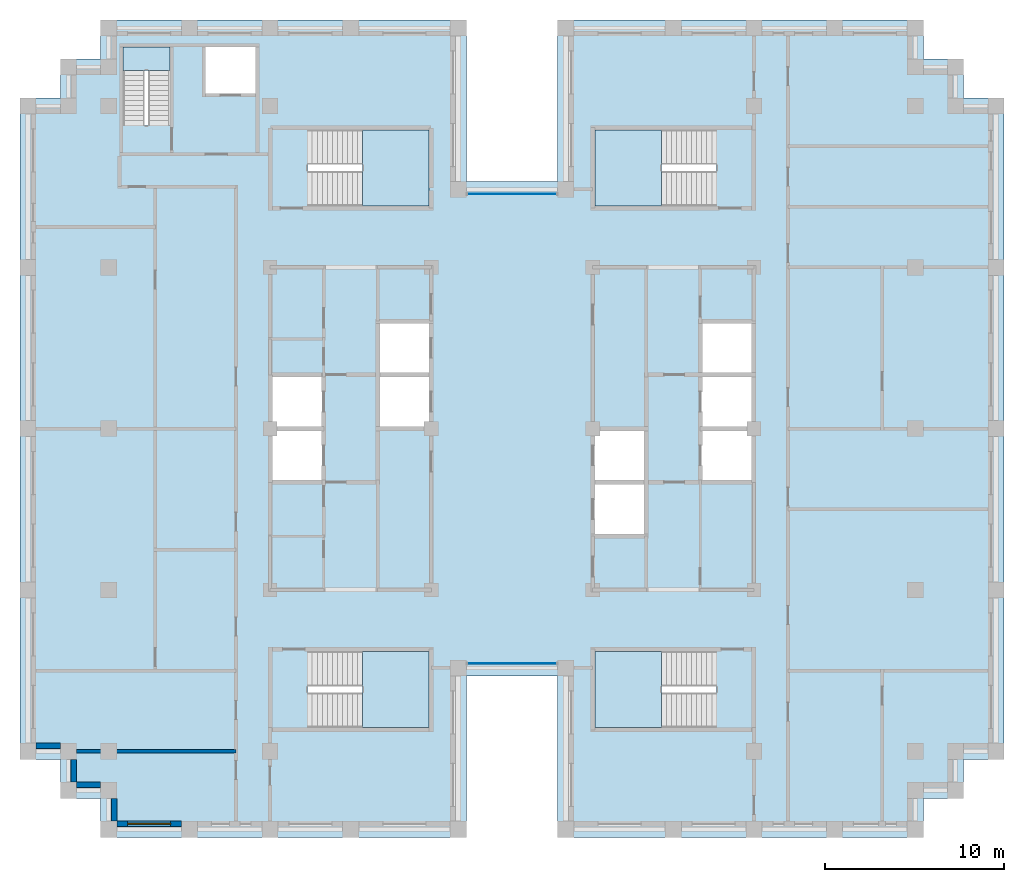
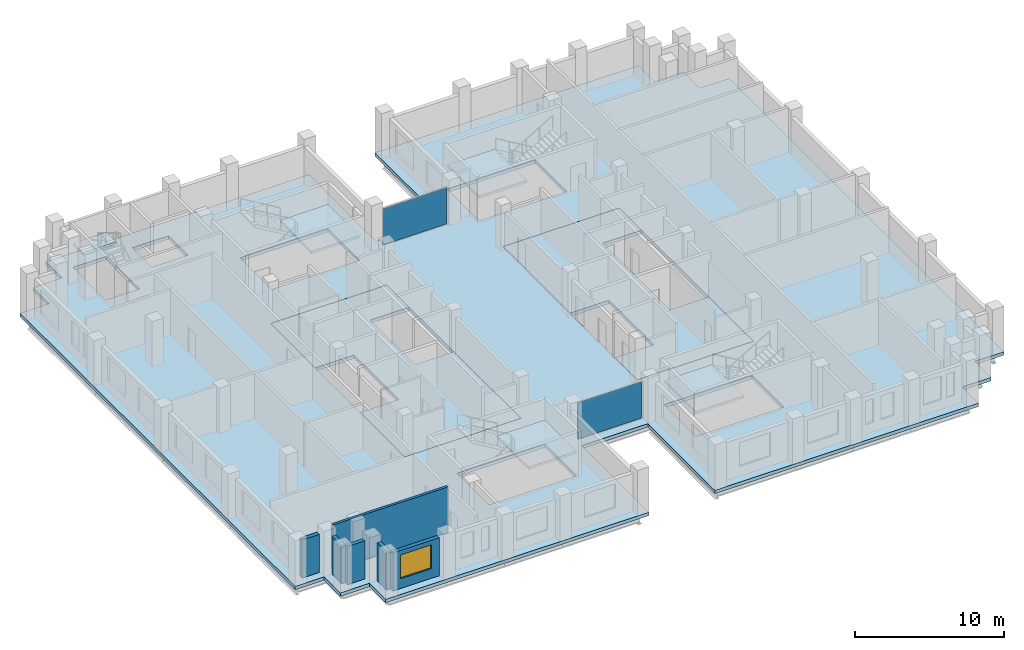
# One storey, part 5 of 13: 8 slabs, 6 walls, 2 plates, 1 window, 1 opening, 7 elements without a shape of their own.
"""IFC4 building model written with IfcOpenShell, lengths in metres."""

from ifc_helpers import new_model, si_unit, direction, frame, frame_2d, origin, origin_2d, place, context, subcontext, project, spatial, polyline, rectangle, outline, extrude, material, layer, layer_set, type_object, element, fill, aggregate, save


model = new_model("IFC4")

# Units and contexts
model_context = context("Model", 3, precision=1e-05, world=origin(), true_north=direction((0.0, 1.0)))
body_context = subcontext(model_context, "Body", "Model", "MODEL_VIEW")
ifc_project = project(units=[si_unit("LENGTHUNIT", "METRE"), si_unit("AREAUNIT", "SQUARE_METRE"), si_unit("VOLUMEUNIT", "CUBIC_METRE"), si_unit("PLANEANGLEUNIT", "RADIAN"), si_unit("MASSUNIT", "GRAM", prefix="KILO")], contexts=[model_context])

# Site, building, storey
site_placement = place(None, origin())
site = spatial("IfcSite", under=ifc_project, at=site_placement, CompositionType="ELEMENT")
building_placement = place(site_placement, origin())
building = spatial("IfcBuilding", under=site, at=building_placement, Name="Corbelhall Arena Tower", CompositionType="ELEMENT")
storey_placement = place(building_placement, frame((0.0, 0.0, 262.0)))
storey = spatial("IfcBuildingStorey", under=building, at=storey_placement, Name="L56", CompositionType="ELEMENT", Elevation=262.0)

# Curtain wall, plate
ifc_material_1 = material(Name="Aluminium black anodised", Category="aluminium")
ifc_layer_1 = layer(ifc_material_1, 0.199951171875)
ifc_layer_set_1 = layer_set([ifc_layer_1], Name="EV-CW1 Slot back wall")
curtain_wall_type = type_object("IfcCurtainWallType", Name="EV-CW1 Slot back wall", PredefinedType="NOTDEFINED", material=ifc_layer_set_1)
curtain_wall_1_placement = place(storey_placement, origin())
curtain_wall_1 = element("IfcCurtainWall", 1, at=curtain_wall_1_placement, inside=storey, type_object=curtain_wall_type, Name="Curtain wall CW1", PredefinedType="NOTDEFINED")
ifc_material_2 = material(Name="Glass dark tinted laminated", Category="glass")
ifc_layer_2 = layer(ifc_material_2, 0.028076171875)
ifc_layer_set_2 = layer_set([ifc_layer_2], Name="EV-CW1-PANEL")
plate_type = type_object("IfcPlateType", Name="EV-CW1-PANEL", PredefinedType="CURTAIN_PANEL", material=ifc_layer_set_2)
plate_1_placement = place(storey_placement, frame((0.0, -13.10009765625, 0.0751953125), z_axis=(0.0, 0.0, 1.0), x_axis=(1.0, 0.0, 0.0)))
plate_1 = element("IfcPlate", 2, at=plate_1_placement, type_object=plate_type, Name="CW1 panel 1.1", PredefinedType="CURTAIN_PANEL", context=body_context, shape_type="SweptSolid", body=[
    extrude(rectangle(XDim=4.949951171875, YDim=0.028076171875, at=origin_2d()), origin(), (0.0, 0.0, 1.0), 2.969970703125),
])
aggregate(curtain_wall_1, [plate_1])

curtain_wall_2_placement = place(storey_placement, origin())
curtain_wall_2 = element("IfcCurtainWall", 3, at=curtain_wall_2_placement, inside=storey, type_object=curtain_wall_type, Name="Curtain wall CW1", PredefinedType="NOTDEFINED")
plate_2_placement = place(storey_placement, frame((0.0, 13.10009765625, 0.0751953125), z_axis=(0.0, 0.0, 1.0), x_axis=(-1.0, 0.0, 0.0)))
plate_2 = element("IfcPlate", 4, at=plate_2_placement, type_object=plate_type, Name="CW1 panel 1.1", PredefinedType="CURTAIN_PANEL", context=body_context, shape_type="SweptSolid", body=[
    extrude(rectangle(XDim=4.949951171875, YDim=0.028076171875, at=origin_2d()), origin(), (0.0, 0.0, 1.0), 2.969970703125),
])
aggregate(curtain_wall_2, [plate_2])

# Slabs
ifc_material_3 = material(Name="Concrete C40/50", Category="concrete")
ifc_layer_3 = layer(ifc_material_3, 0.300048828125)
ifc_layer_set_3 = layer_set([ifc_layer_3], Name="IN-SL-CORE")
slab_type_1 = type_object("IfcSlabType", Name="IN-SL-CORE", PredefinedType="FLOOR", material=ifc_layer_set_3)
slab_1_placement = place(storey_placement, frame((0.0, 0.0, -0.280029296875)))
element("IfcSlab", 5, at=slab_1_placement, inside=storey, type_object=slab_type_1, Name="Core floor W", PredefinedType="FLOOR", context=body_context, shape_type="SweptSolid", body=[
    extrude(outline(polyline([(-10.5, -3.0), (-13.5, -3.0), (-13.5, -9.0), (-4.5, -9.0), (-4.5, 0.0), (-7.5, 0.0), (-7.5, 3.0), (-7.5, 6.0), (-4.5, 6.0), (-4.5, 9.0), (-13.5, 9.0), (-13.5, 3.0), (-10.5, 3.0), (-10.5, 0.0), (-10.5, -3.0)])), origin(), (0.0, 0.0, 1.0), 0.280029296875),
])
slab_2_placement = place(storey_placement, frame((0.0, 0.0, -0.280029296875)))
element("IfcSlab", 6, at=slab_2_placement, inside=storey, type_object=slab_type_1, Name="Core floor E", PredefinedType="FLOOR", context=body_context, shape_type="SweptSolid", body=[
    extrude(outline(polyline([(13.5, -3.0), (10.5, -3.0), (10.5, 0.0), (10.5, 3.0), (10.5, 6.0), (13.5, 6.0), (13.5, 9.0), (4.5, 9.0), (4.5, 0.0), (7.5, 0.0), (7.5, -3.0), (7.5, -6.0), (4.5, -6.0), (4.5, -9.0), (13.5, -9.0), (13.5, -3.0)])), origin(), (0.0, 0.0, 1.0), 0.280029296875),
])

# Stair, slab
stair_type = type_object("IfcStairType", Name="IN-ST-TOWER", PredefinedType="HALF_TURN_STAIR", material=ifc_material_3)
stair_1_placement = place(storey_placement, origin())
stair_1 = element("IfcStair", 7, at=stair_1_placement, inside=storey, type_object=stair_type, Name="L56 Exit stair ST1", PredefinedType="HALF_TURN_STAIR")
ifc_layer_4 = layer(ifc_material_3, 0.199951171875)
ifc_layer_set_4 = layer_set([ifc_layer_4], Name="IN-SL-LANDING")
slab_type_2 = type_object("IfcSlabType", Name="IN-SL-LANDING", PredefinedType="LANDING", material=ifc_layer_set_4)
slab_3_placement = place(storey_placement, frame((0.0, 0.0, 1.800048828125)))
slab_3 = element("IfcSlab", 8, at=slab_3_placement, type_object=slab_type_2, Name="ST1 landing 1", PredefinedType="LANDING", context=body_context, shape_type="SweptSolid", body=[
    extrude(outline(polyline([(-8.344970703125, 12.425048828125), (-4.625, 12.425048828125), (-4.625, 16.675048828125), (-8.344970703125, 16.675048828125), (-8.344970703125, 12.425048828125)])), origin(), (0.0, 0.0, 1.0), 0.199951171875),
])
aggregate(stair_1, [slab_3])

stair_2_placement = place(storey_placement, origin())
stair_2 = element("IfcStair", 9, at=stair_2_placement, inside=storey, type_object=stair_type, Name="L56 Exit stair ST2", PredefinedType="HALF_TURN_STAIR")
slab_4_placement = place(storey_placement, frame((0.0, 0.0, 1.800048828125)))
slab_4 = element("IfcSlab", 10, at=slab_4_placement, type_object=slab_type_2, Name="ST2 landing 1", PredefinedType="LANDING", context=body_context, shape_type="SweptSolid", body=[
    extrude(outline(polyline([(-8.344970703125, -16.675048828125), (-4.625, -16.675048828125), (-4.625, -12.425048828125), (-8.344970703125, -12.425048828125), (-8.344970703125, -16.675048828125)])), origin(), (0.0, 0.0, 1.0), 0.199951171875),
])
aggregate(stair_2, [slab_4])

stair_3_placement = place(storey_placement, origin())
stair_3 = element("IfcStair", 11, at=stair_3_placement, inside=storey, type_object=stair_type, Name="L56 Exit stair ST3", PredefinedType="HALF_TURN_STAIR")
slab_5_placement = place(storey_placement, frame((0.0, 0.0, 1.800048828125)))
slab_5 = element("IfcSlab", 12, at=slab_5_placement, type_object=slab_type_2, Name="ST3 landing 1", PredefinedType="LANDING", context=body_context, shape_type="SweptSolid", body=[
    extrude(outline(polyline([(8.344970703125, 16.675048828125), (4.625, 16.675048828125), (4.625, 12.425048828125), (8.344970703125, 12.425048828125), (8.344970703125, 16.675048828125)])), origin(), (0.0, 0.0, 1.0), 0.199951171875),
])
aggregate(stair_3, [slab_5])

stair_4_placement = place(storey_placement, origin())
stair_4 = element("IfcStair", 13, at=stair_4_placement, inside=storey, type_object=stair_type, Name="L56 Exit stair ST4", PredefinedType="HALF_TURN_STAIR")
slab_6_placement = place(storey_placement, frame((0.0, 0.0, 1.800048828125)))
slab_6 = element("IfcSlab", 14, at=slab_6_placement, type_object=slab_type_2, Name="ST4 landing 1", PredefinedType="LANDING", context=body_context, shape_type="SweptSolid", body=[
    extrude(outline(polyline([(8.344970703125, -12.425048828125), (4.625, -12.425048828125), (4.625, -16.675048828125), (8.344970703125, -16.675048828125), (8.344970703125, -12.425048828125)])), origin(), (0.0, 0.0, 1.0), 0.199951171875),
])
aggregate(stair_4, [slab_6])

stair_5_placement = place(storey_placement, origin())
stair_5 = element("IfcStair", 15, at=stair_5_placement, inside=storey, type_object=stair_type, Name="L56 Exit stair ST5", PredefinedType="HALF_TURN_STAIR")
slab_7_placement = place(storey_placement, frame((0.0, 0.0, 1.800048828125)))
slab_7 = element("IfcSlab", 16, at=slab_7_placement, type_object=slab_type_2, Name="ST5 landing 1", PredefinedType="LANDING", context=body_context, shape_type="SweptSolid", body=[
    extrude(outline(polyline([(-19.094970703125, 19.97998046875), (-19.094970703125, 21.300048828125), (-21.695068359375, 21.300048828125), (-21.695068359375, 19.97998046875), (-19.094970703125, 19.97998046875)])), origin(), (0.0, 0.0, 1.0), 0.199951171875),
])
aggregate(stair_5, [slab_7])

# Slab
ifc_layer_5 = layer(ifc_material_3, 0.280029296875)
ifc_layer_set_5 = layer_set([ifc_layer_5], Name="ST-SLAB-FLOOR-280")
slab_type_3 = type_object("IfcSlabType", Name="ST-SLAB-FLOOR-280", PredefinedType="FLOOR", material=ifc_layer_set_5)
slab_8_placement = place(storey_placement, frame((0.0, 0.0, -0.280029296875)))
element("IfcSlab", 17, at=slab_8_placement, inside=storey, type_object=slab_type_3, Name="Floor slab L56 1", PredefinedType="FLOOR", context=body_context, shape_type="SweptSolid", body=[
    extrude(outline(polyline([(22.949951171875, 22.800048828125), (2.550048828125, 22.800048828125), (2.550048828125, 13.800048828125), (-2.550048828125, 13.800048828125), (-2.550048828125, 22.800048828125), (-22.949951171875, 22.800048828125), (-22.949951171875, 20.625), (-25.199951171875, 20.625), (-25.199951171875, 18.449951171875), (-27.449951171875, 18.449951171875), (-27.449951171875, -18.449951171875), (-25.199951171875, -18.449951171875), (-25.199951171875, -20.625), (-22.949951171875, -20.625), (-22.949951171875, -22.800048828125), (-2.550048828125, -22.800048828125), (-2.550048828125, -13.800048828125), (2.550048828125, -13.800048828125), (2.550048828125, -22.800048828125), (22.949951171875, -22.800048828125), (22.949951171875, -20.625), (25.199951171875, -20.625), (25.199951171875, -18.449951171875), (27.449951171875, -18.449951171875), (27.449951171875, 18.449951171875), (25.199951171875, 18.449951171875), (25.199951171875, 20.625), (22.949951171875, 20.625), (22.949951171875, 22.800048828125)]), holes=[polyline([(-13.5, 9.0), (-13.5, -9.0), (-4.5, -9.0), (-4.5, 9.0), (-13.5, 9.0)]), polyline([(4.5, 9.0), (4.5, -9.0), (13.5, -9.0), (13.5, 9.0), (4.5, 9.0)]), polyline([(-4.625, 16.675048828125), (-11.422119140625, 16.675048828125), (-11.422119140625, 12.425048828125), (-4.625, 12.425048828125), (-4.625, 16.675048828125)]), polyline([(-4.625, -16.675048828125), (-4.625, -12.425048828125), (-11.422119140625, -12.425048828125), (-11.422119140625, -16.675048828125), (-4.625, -16.675048828125)]), polyline([(11.422119140625, 16.675048828125), (4.625, 16.675048828125), (4.625, 12.425048828125), (11.422119140625, 12.425048828125), (11.422119140625, 16.675048828125)]), polyline([(11.422119140625, -16.675048828125), (11.422119140625, -12.425048828125), (4.625, -12.425048828125), (4.625, -16.675048828125), (11.422119140625, -16.675048828125)]), polyline([(-21.695068359375, 21.300048828125), (-21.695068359375, 16.903076171875), (-19.094970703125, 16.903076171875), (-19.094970703125, 21.300048828125), (-21.695068359375, 21.300048828125)]), polyline([(-14.300048828125, 21.300048828125), (-17.10009765625, 21.300048828125), (-17.10009765625, 18.699951171875), (-14.300048828125, 18.699951171875), (-14.300048828125, 21.300048828125)])]), origin(), (0.0, 0.0, 1.0), 0.280029296875),
])

# Walls
ifc_material_4 = material(Name="Precast concrete C40/50 with granite facing", Category="masonry")
ifc_layer_6 = layer(ifc_material_4, 0.300048828125)
ifc_layer_set_6 = layer_set([ifc_layer_6], Name="EV-IW1 Infill panel 300")
wall_type_1 = type_object("IfcWallType", Name="EV-IW1 Infill panel 300", PredefinedType="SOLIDWALL", material=ifc_layer_set_6)
wall_1_placement = place(storey_placement, frame((-26.550048828125, -17.699951171875, 0.0), z_axis=(0.0, 0.0, 1.0), x_axis=(1.0, 0.0, 0.0)))
element("IfcWall", 18, at=wall_1_placement, inside=storey, type_object=wall_type_1, Name="Infill panel IW1", PredefinedType="SOLIDWALL", context=body_context, shape_type="SweptSolid", body=[
    extrude(rectangle(XDim=1.35009765625, YDim=0.300048828125, at=frame_2d((0.675048828125, 0.0))), origin(), (0.0, 0.0, 1.0), 3.1201171875),
])
wall_2_placement = place(storey_placement, frame((-24.449951171875, -18.449951171875, 0.0), z_axis=(0.0, 0.0, 1.0), x_axis=(0.0, -1.0, 0.0)))
element("IfcWall", 19, at=wall_2_placement, inside=storey, type_object=wall_type_1, Name="Infill panel IW1", PredefinedType="SOLIDWALL", context=body_context, shape_type="SweptSolid", body=[
    extrude(rectangle(XDim=1.275146484375, YDim=0.300048828125, at=frame_2d((0.6376953125, 0.0))), origin(), (0.0, 0.0, 1.0), 3.1201171875),
])
wall_3_placement = place(storey_placement, frame((-24.300048828125, -19.875, 0.0), z_axis=(0.0, 0.0, 1.0), x_axis=(1.0, 0.0, 0.0)))
element("IfcWall", 20, at=wall_3_placement, inside=storey, type_object=wall_type_1, Name="Infill panel IW1", PredefinedType="SOLIDWALL", context=body_context, shape_type="SweptSolid", body=[
    extrude(rectangle(XDim=1.35009765625, YDim=0.300048828125, at=frame_2d((0.675048828125, 0.0))), origin(), (0.0, 0.0, 1.0), 3.1201171875),
])
wall_4_placement = place(storey_placement, frame((-22.199951171875, -20.625, 0.0), z_axis=(0.0, 0.0, 1.0), x_axis=(0.0, -1.0, 0.0)))
element("IfcWall", 21, at=wall_4_placement, inside=storey, type_object=wall_type_1, Name="Infill panel IW1", PredefinedType="SOLIDWALL", context=body_context, shape_type="SweptSolid", body=[
    extrude(rectangle(XDim=1.27490234375, YDim=0.300048828125, at=frame_2d((0.637451171875, 0.0))), origin(), (0.0, 0.0, 1.0), 3.1201171875),
])

# Wall, opening, window
wall_5_placement = place(storey_placement, frame((-22.050048828125, -22.050048828125, 0.0), z_axis=(0.0, 0.0, 1.0), x_axis=(1.0, 0.0, 0.0)))
wall_5 = element("IfcWall", 22, at=wall_5_placement, inside=storey, type_object=wall_type_1, Name="Infill panel IW1", PredefinedType="SOLIDWALL", context=body_context, shape_type="SweptSolid", body=[
    extrude(rectangle(XDim=3.60009765625, YDim=0.300048828125, at=frame_2d((1.800048828125, 0.0))), origin(), (0.0, 0.0, 1.0), 3.1201171875),
])
opening_placement = place(wall_5_placement, frame((0.60009765625, 0.0, 0.800048828125)))
opening = element("IfcOpeningElement", 23, at=opening_placement, cuts=wall_5, Name="Opening WN1", PredefinedType="OPENING", context=body_context, shape_type="SweptSolid", body=[
    extrude(rectangle(XDim=2.39990234375, YDim=1.949951171875, at=frame_2d((1.199951171875, 0.97509765625))), frame((0.0, 0.14990234375, 0.0), z_axis=(0.0, -1.0, 0.0), x_axis=(1.0, 0.0, 0.0)), (0.0, 0.0, 1.0), 0.300048828125),
])
window_type = type_object("IfcWindowType", Name="EV-WN1 Office window", PartitioningType="SINGLE_PANEL", PredefinedType="WINDOW", material=ifc_material_1)
window_placement = place(opening_placement, origin())
window = element("IfcWindow", 24, at=window_placement, inside=storey, type_object=window_type, Name="Window WN1", OverallHeight=1.949951171875, OverallWidth=2.39990234375, PartitioningType="SINGLE_PANEL", PredefinedType="WINDOW", context=body_context, shape_type="SweptSolid", body=[
    extrude(rectangle(XDim=2.39990234375, YDim=1.949951171875, at=frame_2d((1.199951171875, 0.97509765625))), frame((0.0, 0.030029296875, 0.0), z_axis=(0.0, -1.0, 0.0), x_axis=(1.0, 0.0, 0.0)), (0.0, 0.0, 1.0), 0.06005859375),
])
fill(opening, window)

# Wall
ifc_material_5 = material(Name="Gypsum board on steel stud, acoustic", Category="steel")
ifc_layer_7 = layer(ifc_material_5, 0.199951171875)
ifc_layer_set_7 = layer_set([ifc_layer_7], Name="IN-W-DM200")
wall_type_2 = type_object("IfcWallType", Name="IN-W-DM200", PredefinedType="PARTITIONING", material=ifc_layer_set_7)
wall_6_placement = place(storey_placement, frame((-24.300048828125, -18.0, 0.0), z_axis=(0.0, 0.0, 1.0), x_axis=(1.0, 0.0, 0.0)))
element("IfcWall", 25, at=wall_6_placement, inside=storey, type_object=wall_type_2, Name="Partition 003", PredefinedType="PARTITIONING", context=body_context, shape_type="SweptSolid", body=[
    extrude(rectangle(XDim=8.900146484375, YDim=0.199951171875, at=frame_2d((4.4501953125, 0.0))), origin(), (0.0, 0.0, 1.0), 3.719970703125),
])

save(model, "model.ifc")
